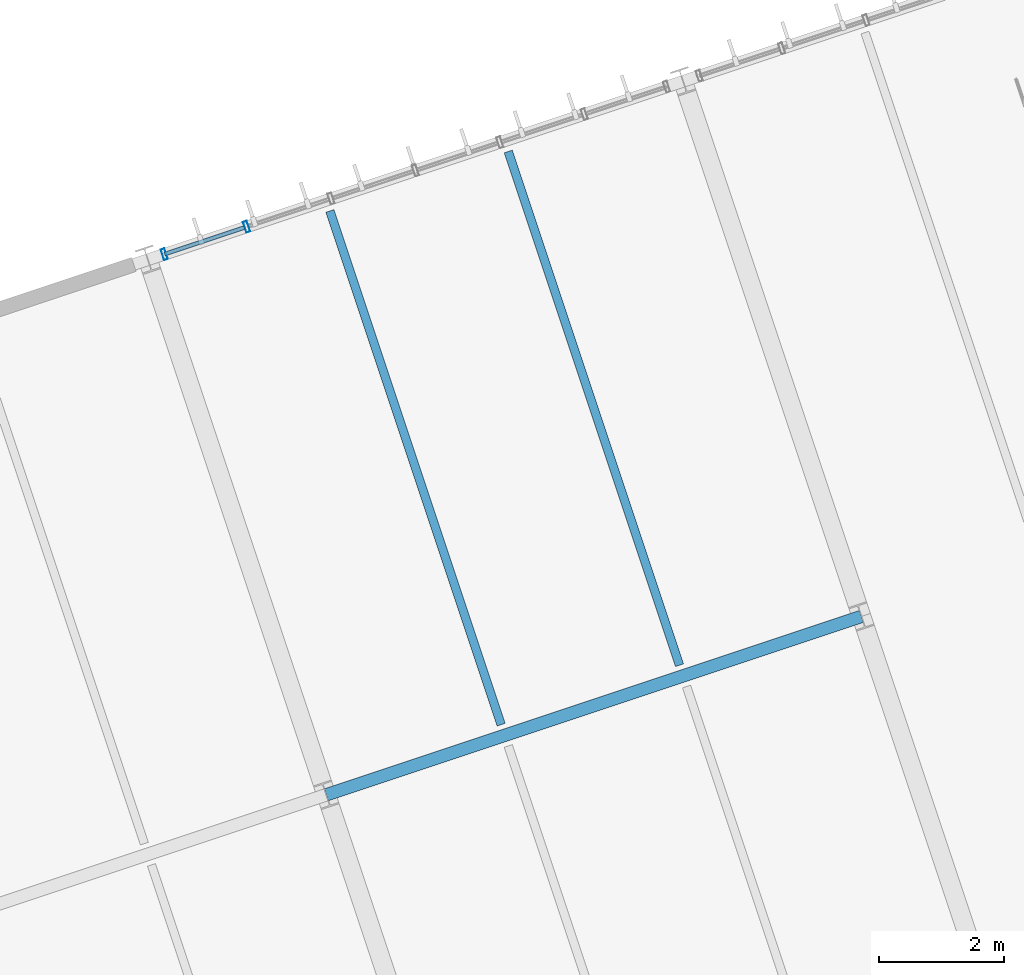
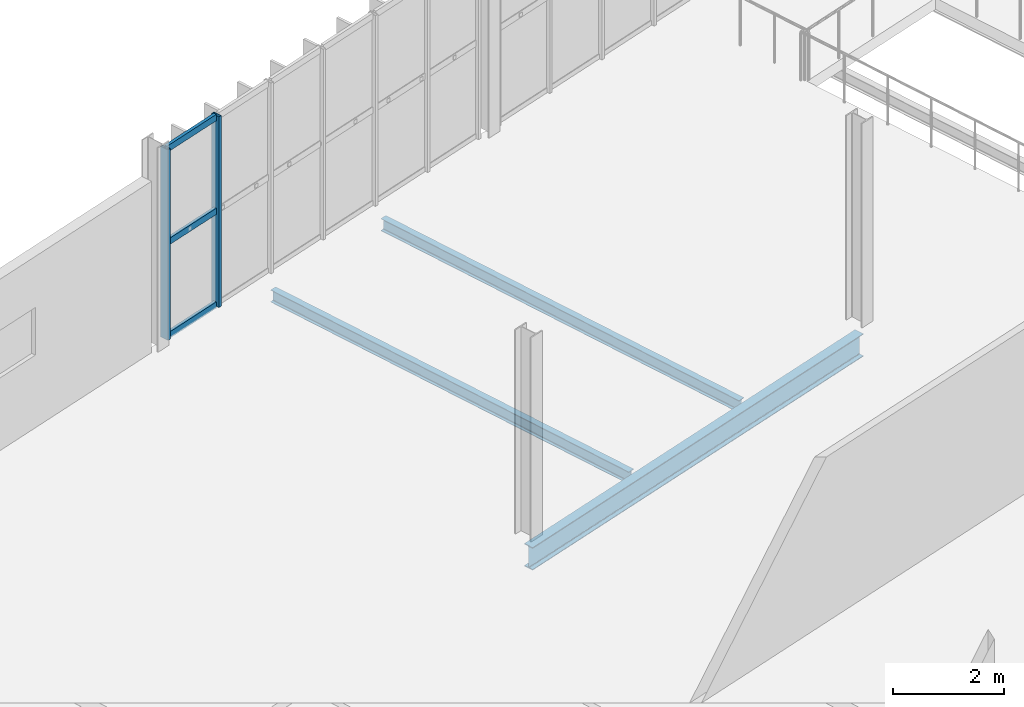
# One storey, part 34 of 152: 5 members, 3 beams, 1 element without a shape of its own.
"""IFC4 building model written with IfcOpenShell, lengths in metres."""

import ifcopenshell
import ifcopenshell.guid

model = None  # the IFC model being written
_history = None  # IfcOwnerHistory: only IFC2X3 demands one
_inside = {}  # id of a spatial element -> (the spatial element, [elements in it])
_under = {}  # id of a project, library or spatial element -> (it, [spatial elements below it])
_declared = {}  # id of a project -> (the project, [libraries it declares])
_typed = {}  # id of a type object -> (the type object, [elements of that type])
_made_of = {}  # id of a material, layer set ... -> (it, [elements and type objects made of it])


def new_model(schema):
    """Start an empty IFC model of exactly this schema.

    Asked for "IFC4X3", IfcOpenShell would pick the latest addendum, in which some entities
    have other attributes; the version numbers below select the first issue.
    IFC2X3 requires an IfcOwnerHistory on every rooted entity: one is made here for all.
    """
    global model, _history
    if schema == "IFC4X3":
        model = ifcopenshell.file(schema_version=(4, 3, 0, 0))
    else:
        model = ifcopenshell.file(schema=schema)
    _inside.clear()
    _under.clear()
    _declared.clear()
    _typed.clear()
    _made_of.clear()
    _history = None
    if model.schema == "IFC2X3":
        org = make("IfcOrganization", Name="unknown")
        user = make(
            "IfcPersonAndOrganization",
            ThePerson=make("IfcPerson", FamilyName="unknown"),
            TheOrganization=org,
        )
        app = make(
            "IfcApplication",
            ApplicationDeveloper=org,
            Version="unknown",
            ApplicationFullName="unknown",
            ApplicationIdentifier="unknown",
        )
        _history = make(
            "IfcOwnerHistory",
            OwningUser=user,
            OwningApplication=app,
            ChangeAction="ADDED",
            CreationDate=0,
        )
    return model


def make(cls, **values):
    """One entity of the class cls with the attributes given. An attribute that is None is left unset."""
    return model.create_entity(
        cls, **{name: value for name, value in values.items() if value is not None}
    )


def rooted(cls, **values):
    """An entity with a GlobalId (a new one), such as an element, a storey or a relation."""
    return make(cls, GlobalId=ifcopenshell.guid.new(), OwnerHistory=_history, **values)


def si_unit(unit_type, name, prefix=None):
    """IfcSIUnit, for example si_unit("LENGTHUNIT", "METRE", prefix="MILLI")."""
    return make("IfcSIUnit", UnitType=unit_type, Prefix=prefix, Name=name)


def derived_unit(unit_type, elements):
    """IfcDerivedUnit: a product of units, each with its exponent."""
    return make(
        "IfcDerivedUnit",
        Elements=[
            make("IfcDerivedUnitElement", Unit=unit, Exponent=power)
            for unit, power in elements
        ],
        UnitType=unit_type,
    )


def assignment(units):
    """IfcUnitAssignment: the units of a project."""
    return None if units is None else make("IfcUnitAssignment", Units=units)


def point(xyz):
    """IfcCartesianPoint."""
    return None if xyz is None else make("IfcCartesianPoint", Coordinates=xyz)


def direction(xyz):
    """IfcDirection."""
    return None if xyz is None else make("IfcDirection", DirectionRatios=xyz)


def frame(location, z_axis=None, x_axis=None):
    """IfcAxis2Placement3D, a coordinate frame: its origin and axes. An axis left out is left unset."""
    return make(
        "IfcAxis2Placement3D",
        Location=point(location),
        Axis=direction(z_axis),
        RefDirection=direction(x_axis),
    )


def frame_2d(location, x_axis=None):
    """IfcAxis2Placement2D, a coordinate frame in the plane: its origin and x axis."""
    return make(
        "IfcAxis2Placement2D", Location=point(location), RefDirection=direction(x_axis)
    )


def origin():
    """The frame at (0, 0, 0) with its axes left unset."""
    return frame((0.0, 0.0, 0.0))


def origin_2d():
    """The frame at (0, 0) in the plane with its x axis left unset."""
    return frame_2d((0.0, 0.0))


def place(relative_to, where):
    """IfcLocalPlacement: puts the frame where relative to a parent placement (None: the world)."""
    return make(
        "IfcLocalPlacement", PlacementRelTo=relative_to, RelativePlacement=where
    )


def context(
    kind, dimensions, precision=None, world=None, true_north=None, identifier=None
):
    """IfcGeometricRepresentationContext, for example the 3D "Model" context."""
    return make(
        "IfcGeometricRepresentationContext",
        ContextIdentifier=identifier,
        ContextType=kind,
        CoordinateSpaceDimension=dimensions,
        Precision=precision,
        WorldCoordinateSystem=world,
        TrueNorth=true_north,
    )


def subcontext(parent, identifier, kind, view, scale=None):
    """IfcGeometricRepresentationSubContext, for example "Body" below "Model"."""
    return make(
        "IfcGeometricRepresentationSubContext",
        ContextIdentifier=identifier,
        ContextType=kind,
        ParentContext=parent,
        TargetScale=scale,
        TargetView=view,
    )


def project(units=None, contexts=None):
    """IfcProject with its units and contexts."""
    return rooted(
        "IfcProject",
        Name="project",
        RepresentationContexts=contexts,
        UnitsInContext=assignment(units),
    )


def spatial(cls, under=None, at=None, **own):
    """A site, building, storey or space (cls), placed at a placement, below another one or the project."""
    s = rooted(cls, ObjectPlacement=at, **own)
    if under is not None:
        _under.setdefault(under.id(), (under, []))[1].append(s)
    return s


def profile(cls, at=None, kind="AREA", **sizes):
    """A parametric profile (cls). Its sizes go by their IFC names, for example OverallWidth=200.0."""
    return make(cls, ProfileType=kind, Position=at, **sizes)


def hollow_rectangle(**sizes):
    """IfcRectangleHollowProfileDef."""
    return profile("IfcRectangleHollowProfileDef", **sizes)


def i_section(**sizes):
    """IfcIShapeProfileDef."""
    return profile("IfcIShapeProfileDef", **sizes)


def extrude(swept, where, along, depth):
    """IfcExtrudedAreaSolid: the profile swept, set in the frame where, extruded along a direction by depth."""
    return make(
        "IfcExtrudedAreaSolid",
        SweptArea=swept,
        Position=where,
        ExtrudedDirection=direction(along),
        Depth=depth,
    )


def shape(context_of_items, identifier, shape_type, items):
    """IfcShapeRepresentation: the items that make up one representation, for example the "Body"."""
    return make(
        "IfcShapeRepresentation",
        ContextOfItems=context_of_items,
        RepresentationIdentifier=identifier,
        RepresentationType=shape_type,
        Items=items,
    )


def material(Name=None, Category=None):
    """IfcMaterial."""
    return make("IfcMaterial", Name=Name, Category=Category)


def material_profile(
    of_material, cross_section, Name=None, Category=None, Priority=None
):
    """IfcMaterialProfile: a cross section and its material."""
    return make(
        "IfcMaterialProfile",
        Name=Name,
        Material=of_material,
        Profile=cross_section,
        Priority=Priority,
        Category=Category,
    )


def profile_set(profiles, Name=None, composite=None):
    """IfcMaterialProfileSet."""
    return make(
        "IfcMaterialProfileSet",
        Name=Name,
        MaterialProfiles=profiles,
        CompositeProfile=composite,
    )


def made_of(thing, what):
    """Note that an element or type object is made of a material, layer set ...; save() writes the relation."""
    if what is not None:
        _made_of.setdefault(what.id(), (what, []))[1].append(thing)
    return thing


def type_object(cls, material=None, **own):
    """A type object (cls), such as IfcWallType, which elements share."""
    return made_of(rooted(cls, **own), material)


def element(
    cls,
    number,
    at=None,
    inside=None,
    cuts=None,
    type_object=None,
    material=None,
    context=None,
    identifier="Body",
    shape_type=None,
    held_by="IfcProductDefinitionShape",
    body=None,
    shapes=None,
    **own,
):
    """One element of the class cls, such as IfcWall. Its Tag is "e" and its number.

    at: its placement. inside: the storey or other place that contains it. cuts: it is an
    opening in that element (IfcRelVoidsElement). A single representation is given by context,
    identifier, shape_type and body (its items); several are given by shapes. held_by: the class
    of the entity that holds the representations. save() writes the other relations.
    """
    e = rooted(cls, Tag="e%d" % number, ObjectPlacement=at, **own)
    if body is not None:
        shapes = [shape(context, identifier, shape_type, body)]
    if shapes is not None:
        e.Representation = make(held_by, Representations=shapes)
    if inside is not None:
        _inside.setdefault(inside.id(), (inside, []))[1].append(e)
    if cuts is not None:
        rooted(
            "IfcRelVoidsElement", RelatingBuildingElement=cuts, RelatedOpeningElement=e
        )
    if type_object is not None:
        _typed.setdefault(type_object.id(), (type_object, []))[1].append(e)
    return made_of(e, material)


def aggregate(whole, parts):
    """IfcRelAggregates: a whole, such as a stair, and the parts it consists of."""
    return rooted("IfcRelAggregates", RelatingObject=whole, RelatedObjects=parts)


def save(model, path):
    """Write the relations noted so far, then the file.

    IfcRelAggregates (storeys below a building ...), IfcRelContainedInSpatialStructure (elements
    in a storey), IfcRelDefinesByType, IfcRelAssociatesMaterial and IfcRelDeclares: one each for
    every whole, place, type object, material and project.
    """
    for whole, parts in _under.values():
        aggregate(whole, parts)
    for where, things in _inside.values():
        rooted(
            "IfcRelContainedInSpatialStructure",
            RelatedElements=things,
            RelatingStructure=where,
        )
    for kind, things in _typed.values():
        rooted("IfcRelDefinesByType", RelatedObjects=things, RelatingType=kind)
    for what, things in _made_of.values():
        rooted("IfcRelAssociatesMaterial", RelatedObjects=things, RelatingMaterial=what)
    for by, libraries in _declared.values():
        rooted("IfcRelDeclares", RelatingContext=by, RelatedDefinitions=libraries)
    model.write(path)


model = new_model("IFC4")

# Units and contexts
model_context = context("Model", 3, precision=1e-05, world=origin(), true_north=direction((0.0, 1.0)))
body_context = subcontext(model_context, "Body", "Model", "MODEL_VIEW")
ifc_project = project(units=[si_unit("LENGTHUNIT", "METRE"), si_unit("AREAUNIT", "SQUARE_METRE"), si_unit("VOLUMEUNIT", "CUBIC_METRE"), si_unit("PLANEANGLEUNIT", "RADIAN"), si_unit("MASSUNIT", "GRAM", prefix="KILO"), si_unit("THERMODYNAMICTEMPERATUREUNIT", "KELVIN"), si_unit("TIMEUNIT", "SECOND"), derived_unit("THERMALTRANSMITTANCEUNIT", [(si_unit("MASSUNIT", "GRAM", prefix="KILO"), 1), (si_unit("THERMODYNAMICTEMPERATUREUNIT", "KELVIN"), -1), (si_unit("TIMEUNIT", "SECOND"), -3)])], contexts=[model_context])

# Site, building, storey
site_placement = place(None, origin())
site = spatial("IfcSite", under=ifc_project, at=site_placement, CompositionType="ELEMENT")
building_placement = place(site_placement, origin())
building = spatial("IfcBuilding", under=site, at=building_placement, Name="Cambertide Market Hall", CompositionType="ELEMENT")
storey_placement = place(building_placement, frame((0.0, 0.0, 5.39990234375)))
storey = spatial("IfcBuildingStorey", under=building, at=storey_placement, Name="L02", CompositionType="ELEMENT", Elevation=5.39990234375)

# Curtain wall, members
ifc_material_1 = material(Name="Marine Anodized Aluminium 6063-T6 AA25", Category="aluminium")
curtain_wall_type = type_object("IfcCurtainWallType", Name="Food Court Upper Glazed Facade", PredefinedType="USERDEFINED", material=ifc_material_1)
curtain_wall_placement = place(storey_placement, origin())
curtain_wall = element("IfcCurtainWall", 1, at=curtain_wall_placement, inside=storey, type_object=curtain_wall_type, Name="Level 2 Curtain Wall CW-V3N-L02-3", ObjectType="UNITIZED CURTAIN WALL", PredefinedType="USERDEFINED")
ifc_material_2 = material(Name="Champagne Marine Anodized Aluminium 6063-T6 AA25", Category="aluminium")
ifc_material_profile_1 = material_profile(ifc_material_2, hollow_rectangle(XDim=0.06494140625, YDim=0.179931640625, WallThickness=0.00390625, at=origin_2d()), Name="ALU MULLION 65x180")
ifc_profile_set_1 = profile_set([ifc_material_profile_1], Name="Champagne Marine Anodized Aluminium 6063-T6 AA25")
member_type_1 = type_object("IfcMemberType", Name="Curtain Wall Mullion ALU MULLION 65x180", PredefinedType="MULLION", material=ifc_profile_set_1)
member_1_placement = place(storey_placement, frame((114.799072265625, 43.3935546875, 0.0), z_axis=(0.0, 0.0, 1.0), x_axis=(0.948683274577, 0.316227836438, 0.0)))
member_1 = element("IfcMember", 2, at=member_1_placement, type_object=member_type_1, Name="CW-V3N-L02-3 Mullion 1", PredefinedType="MULLION", context=body_context, shape_type="SweptSolid", body=[
    extrude(hollow_rectangle(XDim=0.06494140625, YDim=0.179931640625, WallThickness=0.00390625, at=origin_2d()), origin(), (0.0, 0.0, 1.0), 4.2001953125),
])
member_2_placement = place(storey_placement, frame((116.113037109375, 43.83154296875, 0.0), z_axis=(0.0, 0.0, 1.0), x_axis=(0.948683274577, 0.316227836438, 0.0)))
member_2 = element("IfcMember", 3, at=member_2_placement, type_object=member_type_1, Name="CW-V3N-L02-3 Mullion 2", PredefinedType="MULLION", context=body_context, shape_type="SweptSolid", body=[
    extrude(hollow_rectangle(XDim=0.06494140625, YDim=0.179931640625, WallThickness=0.00390625, at=origin_2d()), origin(), (0.0, 0.0, 1.0), 4.2001953125),
])
ifc_material_3 = material(Name="Champagne Marine Anodized Aluminium 6063-T6 AA25", Category="aluminium")
ifc_material_profile_2 = material_profile(ifc_material_3, hollow_rectangle(XDim=0.06494140625, YDim=0.139892578125, WallThickness=0.00341796875, at=origin_2d()), Name="ALU TRANSOM 65x140")
ifc_profile_set_2 = profile_set([ifc_material_profile_2], Name="Champagne Marine Anodized Aluminium 6063-T6 AA25")
member_type_2 = type_object("IfcMemberType", Name="Curtain Wall Transom ALU TRANSOM 65x140", PredefinedType="USERDEFINED", material=ifc_profile_set_2)
member_3_placement = place(storey_placement, frame((114.8037109375, 43.39501953125, 0.03515625), z_axis=(0.948665077442, 0.316282422593, 0.0), x_axis=(-0.316282422593, 0.948665077442, 0.0)))
member_3 = element("IfcMember", 4, at=member_3_placement, type_object=member_type_2, Name="CW-V3N-L02-3 Transom 1-1", ObjectType="TRANSOM", PredefinedType="USERDEFINED", context=body_context, shape_type="SweptSolid", body=[
    extrude(hollow_rectangle(XDim=0.06494140625, YDim=0.139892578125, WallThickness=0.00341796875, at=origin_2d()), origin(), (0.0, 0.0, 1.0), 1.340087890625),
])
member_4_placement = place(storey_placement, frame((114.8037109375, 43.39501953125, 2.10009765625), z_axis=(0.948665077442, 0.316282422593, 0.0), x_axis=(-0.316282422593, 0.948665077442, 0.0)))
member_4 = element("IfcMember", 5, at=member_4_placement, type_object=member_type_2, Name="CW-V3N-L02-3 Transom 2-1", ObjectType="TRANSOM", PredefinedType="USERDEFINED", context=body_context, shape_type="SweptSolid", body=[
    extrude(hollow_rectangle(XDim=0.06494140625, YDim=0.139892578125, WallThickness=0.00341796875, at=origin_2d()), origin(), (0.0, 0.0, 1.0), 1.340087890625),
])
member_5_placement = place(storey_placement, frame((114.8037109375, 43.39501953125, 4.1650390625), z_axis=(0.948665077442, 0.316282422593, 0.0), x_axis=(-0.316282422593, 0.948665077442, 0.0)))
member_5 = element("IfcMember", 6, at=member_5_placement, type_object=member_type_2, Name="CW-V3N-L02-3 Transom 3-1", ObjectType="TRANSOM", PredefinedType="USERDEFINED", context=body_context, shape_type="SweptSolid", body=[
    extrude(hollow_rectangle(XDim=0.06494140625, YDim=0.139892578125, WallThickness=0.00341796875, at=origin_2d()), origin(), (0.0, 0.0, 1.0), 1.340087890625),
])
aggregate(curtain_wall, [member_1, member_2, member_3, member_4, member_5])

# Beams
ifc_material_4 = material(Name="Steel S355", Category="steel")
ifc_material_profile_3 = material_profile(ifc_material_4, i_section(OverallWidth=0.199951171875, OverallDepth=0.5, WebThickness=0.01025390625, FlangeThickness=0.01611328125, FilletRadius=0.02099609375, at=origin_2d()), Name="IPE 500")
ifc_profile_set_3 = profile_set([ifc_material_profile_3], Name="Steel S355")
beam_type_1 = type_object("IfcBeamType", Name="Steel Girder IPE 500", PredefinedType="BEAM", material=ifc_profile_set_3)
beam_1_placement = place(storey_placement, frame((117.38427734375, 34.768310546875, -0.5), z_axis=(0.948677872554, 0.31624404204, 0.0), x_axis=(-0.31624404204, 0.948677872554, 0.0)))
element("IfcBeam", 7, at=beam_1_placement, inside=storey, type_object=beam_type_1, Name="Level 2 Beam BM-V3U-L02-3-3", PredefinedType="BEAM", context=body_context, shape_type="SweptSolid", body=[
    extrude(i_section(OverallWidth=0.199951171875, OverallDepth=0.5, WebThickness=0.01025390625, FlangeThickness=0.01611328125, FilletRadius=0.02099609375, at=origin_2d()), origin(), (0.0, 0.0, 1.0), 9.0),
])
ifc_material_5 = material(Name="Steel S275", Category="steel")
ifc_material_profile_4 = material_profile(ifc_material_5, i_section(OverallWidth=0.135009765625, OverallDepth=0.27001953125, WebThickness=0.006591796875, FlangeThickness=0.01025390625, FilletRadius=0.014892578125, at=origin_2d()), Name="IPE 270")
ifc_profile_set_4 = profile_set([ifc_material_profile_4], Name="Steel S275")
beam_type_2 = type_object("IfcBeamType", Name="Steel Secondary Joist IPE 270", PredefinedType="JOIST", material=ifc_profile_set_4)
beam_2_placement = place(storey_placement, frame((120.17333984375, 35.887939453125, -0.385009765625), z_axis=(-0.316227766017, 0.948683298051, 0.0), x_axis=(-0.948683298051, -0.316227766017, 0.0)))
element("IfcBeam", 8, at=beam_2_placement, inside=storey, type_object=beam_type_2, Name="Level 2 Joist JS-V3-L02-3-3-1", PredefinedType="JOIST", context=body_context, shape_type="SweptSolid", body=[
    extrude(i_section(OverallWidth=0.135009765625, OverallDepth=0.27001953125, WebThickness=0.006591796875, FlangeThickness=0.01025390625, FilletRadius=0.014892578125, at=origin_2d()), origin(), (0.0, 0.0, 1.0), 8.639892578125),
])
beam_3_placement = place(storey_placement, frame((123.019287109375, 36.83642578125, -0.385009765625), z_axis=(-0.316219289033, 0.94868612367, 0.0), x_axis=(-0.94868612367, -0.316219289033, 0.0)))
element("IfcBeam", 9, at=beam_3_placement, inside=storey, type_object=beam_type_2, Name="Level 2 Joist JS-V3-L02-3-3-2", PredefinedType="JOIST", context=body_context, shape_type="SweptSolid", body=[
    extrude(i_section(OverallWidth=0.135009765625, OverallDepth=0.27001953125, WebThickness=0.006591796875, FlangeThickness=0.01025390625, FilletRadius=0.014892578125, at=origin_2d()), origin(), (0.0, 0.0, 1.0), 8.64013671875),
])

save(model, "model.ifc")
